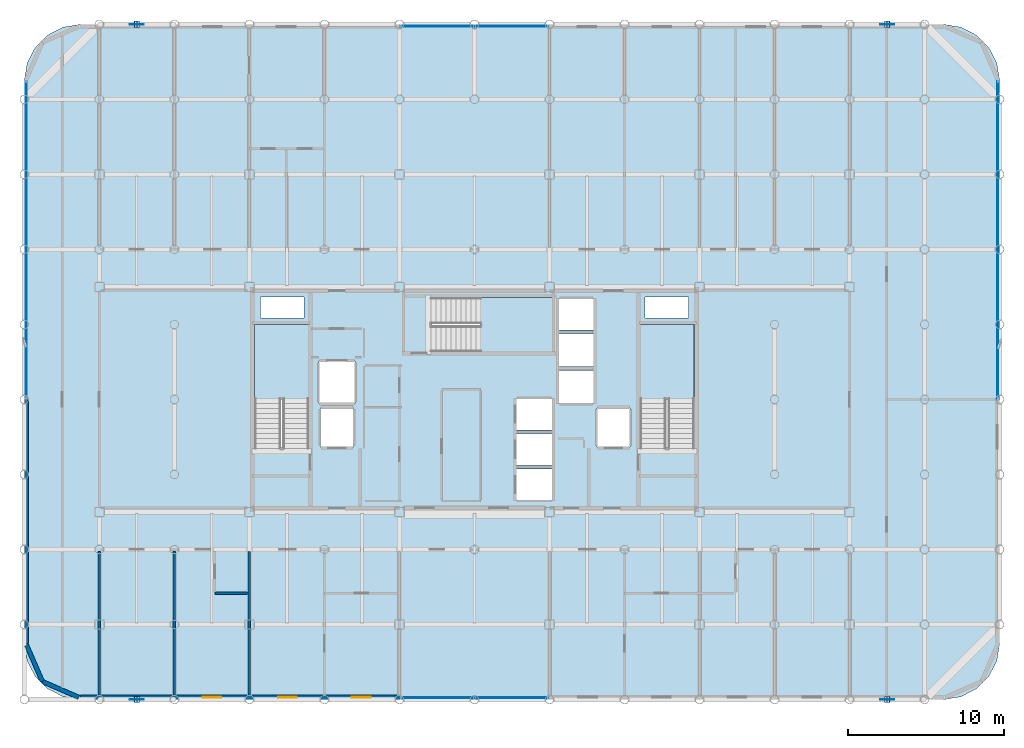
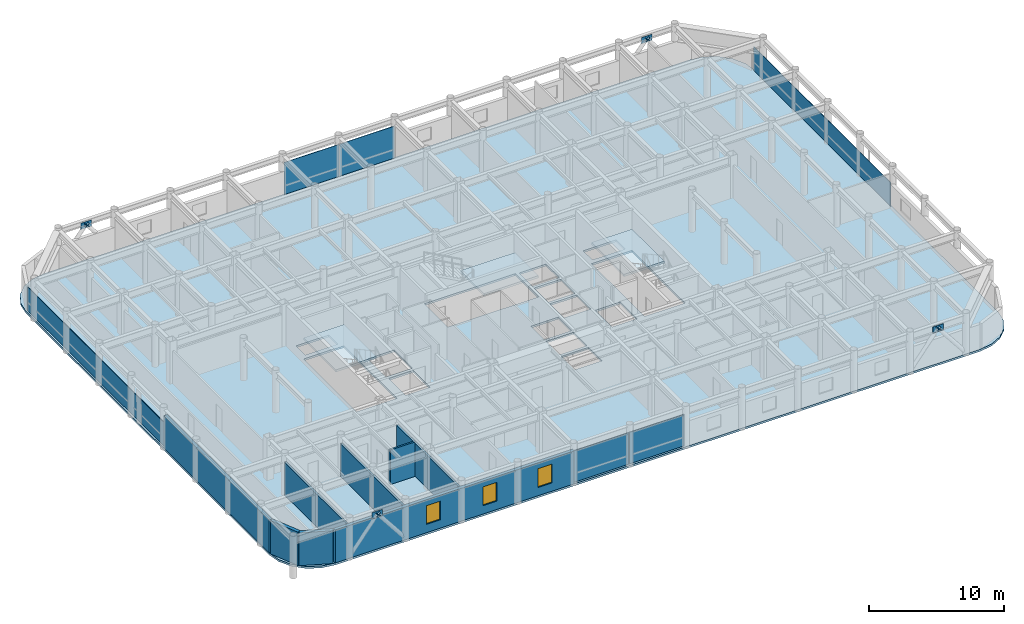
# One storey, part 17 of 22: 18 plates, 8 walls, 4 slabs, 3 windows, 3 openings, 7 elements without a shape of their own.
"""IFC4 building model written with IfcOpenShell, lengths in metres."""

from ifc_helpers import new_model, si_unit, direction, frame, frame_2d, origin, origin_2d, place, context, subcontext, project, spatial, polyline, rectangle, outline, extrude, material, layer, layer_set, type_object, element, fill, aggregate, save


model = new_model("IFC4")

# Units and contexts
model_context = context("Model", 3, precision=1e-05, world=origin(), true_north=direction((0.0, 1.0)))
body_context = subcontext(model_context, "Body", "Model", "MODEL_VIEW")
ifc_project = project(units=[si_unit("LENGTHUNIT", "METRE"), si_unit("AREAUNIT", "SQUARE_METRE"), si_unit("VOLUMEUNIT", "CUBIC_METRE"), si_unit("PLANEANGLEUNIT", "RADIAN"), si_unit("MASSUNIT", "GRAM", prefix="KILO")], contexts=[model_context])

# Site, building, storey
site_placement = place(None, origin())
site = spatial("IfcSite", under=ifc_project, at=site_placement, CompositionType="ELEMENT")
building_placement = place(site_placement, origin())
building = spatial("IfcBuilding", under=site, at=building_placement, Name="Kallvorn Hotel Tower", CompositionType="ELEMENT")
storey_placement = place(building_placement, frame((0.0, 0.0, 241.550048828125)))
storey = spatial("IfcBuildingStorey", under=building, at=storey_placement, Name="L60", CompositionType="ELEMENT", Elevation=241.550048828125)

# Curtain wall, plates
ifc_material_1 = material(Name="Thermally broken black-anodised aluminium AA 6063-T6", Category="aluminium")
ifc_layer_1 = layer(ifc_material_1, 0.22998046875)
ifc_layer_set_1 = layer_set([ifc_layer_1], Name="CW_SYS_5_HOTEL_HIGH")
curtain_wall_type = type_object("IfcCurtainWallType", Name="CW_SYS_5_HOTEL_HIGH", PredefinedType="USERDEFINED", material=ifc_layer_set_1)
curtain_wall_1_placement = place(storey_placement, origin())
curtain_wall_1 = element("IfcCurtainWall", 1, at=curtain_wall_1_placement, inside=storey, type_object=curtain_wall_type, Name="L60 Dark-Glass Curtain Wall CW-L60-SC", ObjectType="UNITISED CURTAIN WALL", PredefinedType="USERDEFINED")
ifc_material_2 = material(Name="Triple-glazed low-e acoustic solar-control dark glass", Category="glass")
ifc_layer_2 = layer(ifc_material_2, 0.04150390625)
ifc_layer_set_2 = layer_set([ifc_layer_2], Name="CW_SYS_5_HOTEL_HIGH_PANEL")
plate_type_1 = type_object("IfcPlateType", Name="CW_SYS_5_HOTEL_HIGH_PANEL", PredefinedType="CURTAIN_PANEL", material=ifc_layer_set_2)
plate_1_placement = place(storey_placement, frame((-2.375, -19.080078125, 0.059814453125), z_axis=(0.0, 0.0, 1.0), x_axis=(1.0, 0.0, 0.0)))
plate_1 = element("IfcPlate", 2, at=plate_1_placement, type_object=plate_type_1, Name="CW-L60-SC Vision Glass Panel 00", PredefinedType="CURTAIN_PANEL", context=body_context, shape_type="SweptSolid", body=[
    extrude(rectangle(XDim=4.68994140625, YDim=0.04150390625, at=origin_2d()), origin(), (0.0, 0.0, 1.0), 2.85009765625),
])
plate_2_placement = place(storey_placement, frame((2.375, -19.080078125, 0.059814453125), z_axis=(0.0, 0.0, 1.0), x_axis=(1.0, 0.0, 0.0)))
plate_2 = element("IfcPlate", 3, at=plate_2_placement, type_object=plate_type_1, Name="CW-L60-SC Vision Glass Panel 01", PredefinedType="CURTAIN_PANEL", context=body_context, shape_type="SweptSolid", body=[
    extrude(rectangle(XDim=4.68994140625, YDim=0.04150390625, at=origin_2d()), origin(), (0.0, 0.0, 1.0), 2.85009765625),
])
aggregate(curtain_wall_1, [plate_1, plate_2])

curtain_wall_2_placement = place(storey_placement, origin())
curtain_wall_2 = element("IfcCurtainWall", 4, at=curtain_wall_2_placement, inside=storey, type_object=curtain_wall_type, Name="L60 Dark-Glass Curtain Wall CW-L60-NC", ObjectType="UNITISED CURTAIN WALL", PredefinedType="USERDEFINED")
plate_3_placement = place(storey_placement, frame((-2.375, 23.8798828125, 0.06005859375), z_axis=(0.0, 0.0, 1.0), x_axis=(1.0, 0.0, 0.0)))
plate_3 = element("IfcPlate", 5, at=plate_3_placement, type_object=plate_type_1, Name="CW-L60-NC Vision Glass Panel 00", PredefinedType="CURTAIN_PANEL", context=body_context, shape_type="SweptSolid", body=[
    extrude(rectangle(XDim=4.68994140625, YDim=0.04150390625, at=origin_2d()), origin(), (0.0, 0.0, 1.0), 2.89990234375),
])
plate_4_placement = place(storey_placement, frame((2.375, 23.8798828125, 0.06005859375), z_axis=(0.0, 0.0, 1.0), x_axis=(1.0, 0.0, 0.0)))
plate_4 = element("IfcPlate", 6, at=plate_4_placement, type_object=plate_type_1, Name="CW-L60-NC Vision Glass Panel 01", PredefinedType="CURTAIN_PANEL", context=body_context, shape_type="SweptSolid", body=[
    extrude(rectangle(XDim=4.68994140625, YDim=0.04150390625, at=origin_2d()), origin(), (0.0, 0.0, 1.0), 2.89990234375),
])
aggregate(curtain_wall_2, [plate_3, plate_4])

# Curtain wall, plate
curtain_wall_3_placement = place(storey_placement, origin())
curtain_wall_3 = element("IfcCurtainWall", 7, at=curtain_wall_3_placement, inside=storey, type_object=curtain_wall_type, Name="L60 Dark-Glass Curtain Wall CW-L60-WN", ObjectType="UNITISED CURTAIN WALL", PredefinedType="USERDEFINED")
plate_5_placement = place(storey_placement, frame((-28.679931640625, 10.2099609375, 0.06005859375), z_axis=(0.0, 0.0, 1.0), x_axis=(0.0, 1.0, 0.0)))
plate_5 = element("IfcPlate", 8, at=plate_5_placement, type_object=plate_type_1, Name="CW-L60-WN Vision Glass Panel 00", PredefinedType="CURTAIN_PANEL", context=body_context, shape_type="SweptSolid", body=[
    extrude(rectangle(XDim=20.320068359375, YDim=0.04150390625, at=origin_2d()), origin(), (0.0, 0.0, 1.0), 2.14990234375),
])
aggregate(curtain_wall_3, [plate_5])

curtain_wall_4_placement = place(storey_placement, origin())
curtain_wall_4 = element("IfcCurtainWall", 9, at=curtain_wall_4_placement, inside=storey, type_object=curtain_wall_type, Name="L60 Dark-Glass Curtain Wall CW-L60-EN", ObjectType="UNITISED CURTAIN WALL", PredefinedType="USERDEFINED")
plate_6_placement = place(storey_placement, frame((33.47998046875, 10.2099609375, 0.06005859375), z_axis=(0.0, 0.0, 1.0), x_axis=(0.0, 1.0, 0.0)))
plate_6 = element("IfcPlate", 10, at=plate_6_placement, type_object=plate_type_1, Name="CW-L60-EN Vision Glass Panel 00", PredefinedType="CURTAIN_PANEL", context=body_context, shape_type="SweptSolid", body=[
    extrude(rectangle(XDim=20.320068359375, YDim=0.04150390625, at=origin_2d()), origin(), (0.0, 0.0, 1.0), 2.14990234375),
])
aggregate(curtain_wall_4, [plate_6])

# Plates
ifc_material_3 = material(Name="Structural steel S355JR", Category="steel")
ifc_layer_3 = layer(ifc_material_3, 0.030029296875)
ifc_layer_set_3 = layer_set([ifc_layer_3], Name="PLT_CAP_30")
plate_type_2 = type_object("IfcPlateType", Name="PLT_CAP_30", PredefinedType="SHEET", material=ifc_layer_set_3)
plate_7_placement = place(storey_placement, frame((-21.435546875, -19.40185546875, 3.09228515625), z_axis=(0.621151664719, 0.0, 0.783690378541), x_axis=(0.0, 1.0, 0.0)))
element("IfcPlate", 11, at=plate_7_placement, inside=storey, type_object=plate_type_2, Name="EXO-L60-S1A End Cap Plate B", PredefinedType="SHEET", context=body_context, shape_type="SweptSolid", body=[
    extrude(outline(polyline([(0.0, 0.0), (0.40380859375, 0.0), (0.40380859375, 0.4040503740962029), (0.0, 0.4040503740962029), (0.0, 0.0)])), origin(), (0.0, 0.0, -1.0), 0.030029296875),
])
plate_8_placement = place(storey_placement, frame((-21.764404296875, -18.998046875, 3.09228515625), z_axis=(-0.621445895256, 0.0, 0.783457081957), x_axis=(0.0, -1.0, 0.0)))
element("IfcPlate", 12, at=plate_8_placement, inside=storey, type_object=plate_type_2, Name="EXO-L60-S1B End Cap Plate B", PredefinedType="SHEET", context=body_context, shape_type="SweptSolid", body=[
    extrude(outline(polyline([(0.0, 0.0), (0.40380859375, 0.0), (0.40380859375, 0.40385907190922293), (0.0, 0.40385907190922293), (0.0, 0.0)])), origin(), (0.0, 0.0, -1.0), 0.030029296875),
])
plate_9_placement = place(storey_placement, frame((26.564453125, -19.40185546875, 3.09228515625), z_axis=(0.621151664719, 0.0, 0.783690378541), x_axis=(0.0, 1.0, 0.0)))
element("IfcPlate", 13, at=plate_9_placement, inside=storey, type_object=plate_type_2, Name="EXO-L60-S2A End Cap Plate B", PredefinedType="SHEET", context=body_context, shape_type="SweptSolid", body=[
    extrude(outline(polyline([(0.0, 0.0), (0.40380859375, 0.0), (0.40380859375, 0.4040503740962029), (0.0, 0.4040503740962029), (0.0, 0.0)])), origin(), (0.0, 0.0, -1.0), 0.030029296875),
])
plate_10_placement = place(storey_placement, frame((26.235595703125, -18.998046875, 3.09228515625), z_axis=(-0.621445895256, 0.0, 0.783457081957), x_axis=(0.0, -1.0, 0.0)))
element("IfcPlate", 14, at=plate_10_placement, inside=storey, type_object=plate_type_2, Name="EXO-L60-S2B End Cap Plate B", PredefinedType="SHEET", context=body_context, shape_type="SweptSolid", body=[
    extrude(outline(polyline([(0.0, 0.0), (0.40380859375, 0.0), (0.40380859375, 0.40385907190922293), (0.0, 0.40385907190922293), (0.0, 0.0)])), origin(), (0.0, 0.0, -1.0), 0.030029296875),
])
plate_11_placement = place(storey_placement, frame((-21.435546875, 23.798095703125, 3.09228515625), z_axis=(0.621151664719, 0.0, 0.783690378541), x_axis=(0.0, 1.0, 0.0)))
element("IfcPlate", 15, at=plate_11_placement, inside=storey, type_object=plate_type_2, Name="EXO-L60-N1A End Cap Plate B", PredefinedType="SHEET", context=body_context, shape_type="SweptSolid", body=[
    extrude(outline(polyline([(0.0, 0.0), (0.40380859375, 0.0), (0.40380859375, 0.4040503740962029), (0.0, 0.4040503740962029), (0.0, 0.0)])), origin(), (0.0, 0.0, -1.0), 0.030029296875),
])
plate_12_placement = place(storey_placement, frame((-21.764404296875, 24.201904296875, 3.09228515625), z_axis=(-0.621445895256, 0.0, 0.783457081957), x_axis=(0.0, -1.0, 0.0)))
element("IfcPlate", 16, at=plate_12_placement, inside=storey, type_object=plate_type_2, Name="EXO-L60-N1B End Cap Plate B", PredefinedType="SHEET", context=body_context, shape_type="SweptSolid", body=[
    extrude(outline(polyline([(0.0, 0.0), (0.40380859375, 0.0), (0.40380859375, 0.40385907190922293), (0.0, 0.40385907190922293), (0.0, 0.0)])), origin(), (0.0, 0.0, -1.0), 0.030029296875),
])
plate_13_placement = place(storey_placement, frame((26.564453125, 23.798095703125, 3.09228515625), z_axis=(0.621151664719, 0.0, 0.783690378541), x_axis=(0.0, 1.0, 0.0)))
element("IfcPlate", 17, at=plate_13_placement, inside=storey, type_object=plate_type_2, Name="EXO-L60-N2A End Cap Plate B", PredefinedType="SHEET", context=body_context, shape_type="SweptSolid", body=[
    extrude(outline(polyline([(0.0, 0.0), (0.40380859375, 0.0), (0.40380859375, 0.4040503740962029), (0.0, 0.4040503740962029), (0.0, 0.0)])), origin(), (0.0, 0.0, -1.0), 0.030029296875),
])
plate_14_placement = place(storey_placement, frame((26.235595703125, 24.201904296875, 3.09228515625), z_axis=(-0.621445895256, 0.0, 0.783457081957), x_axis=(0.0, -1.0, 0.0)))
element("IfcPlate", 18, at=plate_14_placement, inside=storey, type_object=plate_type_2, Name="EXO-L60-N2B End Cap Plate B", PredefinedType="SHEET", context=body_context, shape_type="SweptSolid", body=[
    extrude(outline(polyline([(0.0, 0.0), (0.40380859375, 0.0), (0.40380859375, 0.40385907190922293), (0.0, 0.40385907190922293), (0.0, 0.0)])), origin(), (0.0, 0.0, -1.0), 0.030029296875),
])
ifc_material_4 = material(Name="Structural steel S355JR", Category="steel")
ifc_layer_4 = layer(ifc_material_4, 0.034912109375)
ifc_layer_set_4 = layer_set([ifc_layer_4], Name="PLT_GUSSET_35")
plate_type_3 = type_object("IfcPlateType", Name="PLT_GUSSET_35", PredefinedType="USERDEFINED", material=ifc_layer_set_4)
for number, where, z_axis, x_axis, name in (
    (19, (-21.60009765625, -19.199951171875, 2.889892578125), (0.0, 0.0, 1.0), (1.0, 0.0, 0.0), "L60 Exoskeleton Node Gusset S1"),
    (20, (26.39990234375, -19.199951171875, 2.889892578125), (0.0, 0.0, 1.0), (1.0, 0.0, 0.0), "L60 Exoskeleton Node Gusset S2"),
    (21, (-21.60009765625, 24.0, 2.889892578125), (0.0, 0.0, 1.0), (1.0, 0.0, 0.0), "L60 Exoskeleton Node Gusset N1"),
    (22, (26.39990234375, 24.0, 2.889892578125), (0.0, 0.0, 1.0), (1.0, 0.0, 0.0), "L60 Exoskeleton Node Gusset N2"),
):
    element("IfcPlate", number, at=place(storey_placement, frame(where, z_axis=z_axis, x_axis=x_axis)), inside=storey, type_object=plate_type_3, Name=name, ObjectType="GUSSET PLATE", PredefinedType="USERDEFINED", context=body_context, shape_type="SweptSolid", body=[
        extrude(rectangle(XDim=0.89990234375, YDim=0.034912109375, at=origin_2d()), origin(), (0.0, 0.0, 1.0), 0.56005859375),
    ])

# Stair, slab
ifc_material_5 = material(Name="Precast concrete C40/50", Category="concrete")
stair_type = type_object("IfcStairType", Name="STR_CORE_DOGLEG", PredefinedType="HALF_TURN_STAIR", material=ifc_material_5)
stair_1_placement = place(storey_placement, origin())
stair_1 = element("IfcStair", 23, at=stair_1_placement, inside=storey, type_object=stair_type, Name="L60 Exit stair ST1", PredefinedType="HALF_TURN_STAIR")
ifc_material_6 = material(Name="Precast concrete C40/50", Category="concrete")
ifc_layer_5 = layer(ifc_material_6, 0.179931640625)
ifc_layer_set_5 = layer_set([ifc_layer_5], Name="SLB_LANDING_180")
slab_type_1 = type_object("IfcSlabType", Name="SLB_LANDING_180", PredefinedType="LANDING", material=ifc_layer_set_5)
slab_1_placement = place(storey_placement, frame((0.0, 0.0, 1.724853515625)))
slab_1 = element("IfcSlab", 24, at=slab_1_placement, type_object=slab_type_1, Name="ST1 landing 1", PredefinedType="LANDING", context=body_context, shape_type="SweptSolid", body=[
    extrude(outline(polyline([(-10.60009765625, 0.010009765625), (-10.60009765625, 4.800048828125), (-14.06005859375, 4.800048828125), (-14.06005859375, 0.010009765625), (-10.60009765625, 0.010009765625)])), origin(), (0.0, 0.0, 1.0), 0.2001953125),
])
aggregate(stair_1, [slab_1])

stair_2_placement = place(storey_placement, origin())
stair_2 = element("IfcStair", 25, at=stair_2_placement, inside=storey, type_object=stair_type, Name="L60 Exit stair ST2", PredefinedType="HALF_TURN_STAIR")
slab_2_placement = place(storey_placement, frame((0.0, 0.0, 1.724853515625)))
slab_2 = element("IfcSlab", 26, at=slab_2_placement, type_object=slab_type_1, Name="ST2 landing 1", PredefinedType="LANDING", context=body_context, shape_type="SweptSolid", body=[
    extrude(outline(polyline([(14.06005859375, 0.010009765625), (14.06005859375, 4.800048828125), (10.60009765625, 4.800048828125), (10.60009765625, 0.010009765625), (14.06005859375, 0.010009765625)])), origin(), (0.0, 0.0, 1.0), 0.2001953125),
])
aggregate(stair_2, [slab_2])

stair_3_placement = place(storey_placement, origin())
stair_3 = element("IfcStair", 27, at=stair_3_placement, inside=storey, type_object=stair_type, Name="L60 Exit stair ST3", PredefinedType="HALF_TURN_STAIR")
slab_3_placement = place(storey_placement, frame((0.0, 0.0, 1.724853515625)))
slab_3 = element("IfcSlab", 28, at=slab_3_placement, type_object=slab_type_1, Name="ST3 landing 1", PredefinedType="LANDING", context=body_context, shape_type="SweptSolid", body=[
    extrude(outline(polyline([(0.360107421875, 3.050048828125), (5.050048828125, 3.050048828125), (5.050048828125, 6.510009765625), (0.360107421875, 6.510009765625), (0.360107421875, 3.050048828125)])), origin(), (0.0, 0.0, 1.0), 0.2001953125),
])
aggregate(stair_3, [slab_3])

# Slab
ifc_material_7 = material(Name="Concrete C40/50", Category="concrete")
ifc_layer_6 = layer(ifc_material_7, 0.179931640625)
ifc_layer_set_6 = layer_set([ifc_layer_6], Name="SLB_TOWER_180")
slab_type_2 = type_object("IfcSlabType", Name="SLB_TOWER_180", PredefinedType="FLOOR", material=ifc_layer_set_6)
slab_4_placement = place(storey_placement, frame((0.0, 0.0, -0.179931640625)))
element("IfcSlab", 29, at=slab_4_placement, inside=storey, type_object=slab_type_2, Name="L60 Structural Floor Slab", PredefinedType="FLOOR", context=body_context, shape_type="SweptSolid", body=[
    extrude(outline(polyline([(30.0, -19.199951171875), (31.112548828125, -19.023681640625), (32.115966796875, -18.512451171875), (32.91259765625, -17.716064453125), (33.423828125, -16.71240234375), (33.60009765625, -15.60009765625), (33.60009765625, 20.39990234375), (33.423828125, 21.512451171875), (32.91259765625, 22.51611328125), (32.115966796875, 23.3125), (31.112548828125, 23.82373046875), (30.0, 24.0), (-25.199951171875, 24.0), (-26.3125, 23.82373046875), (-27.31591796875, 23.3125), (-28.112548828125, 22.51611328125), (-28.623779296875, 21.512451171875), (-28.800048828125, 20.39990234375), (-28.800048828125, -15.60009765625), (-28.623779296875, -16.71240234375), (-28.112548828125, -17.716064453125), (-27.31591796875, -18.512451171875), (-26.3125, -19.023681640625), (-25.199951171875, -19.199951171875), (30.0, -19.199951171875)]), holes=[polyline([(-10.60009765625, -3.070068359375), (-10.60009765625, 4.800048828125), (-14.06005859375, 4.800048828125), (-14.06005859375, -3.070068359375), (-10.60009765625, -3.070068359375)]), polyline([(14.06005859375, -3.070068359375), (14.06005859375, 4.800048828125), (10.60009765625, 4.800048828125), (10.60009765625, -3.070068359375), (14.06005859375, -3.070068359375)]), polyline([(-2.719970703125, 3.050048828125), (5.050048828125, 3.050048828125), (5.050048828125, 6.510009765625), (-2.719970703125, 6.510009765625), (-2.719970703125, 3.050048828125)]), polyline([(2.64990234375, -6.449951171875), (5.0, -6.449951171875), (5.0, -4.449951171875), (2.64990234375, -4.449951171875), (2.64990234375, -6.449951171875)]), polyline([(2.64990234375, -4.199951171875), (5.0, -4.199951171875), (5.0, -2.199951171875), (2.64990234375, -2.199951171875), (2.64990234375, -4.199951171875)]), polyline([(2.64990234375, -1.949951171875), (5.0, -1.949951171875), (5.0, 0.050048828125), (2.64990234375, 0.050048828125), (2.64990234375, -1.949951171875)]), polyline([(5.35009765625, -0.25), (7.64990234375, -0.25), (7.64990234375, 1.85009765625), (5.35009765625, 1.85009765625), (5.35009765625, -0.25)]), polyline([(5.35009765625, 2.10009765625), (7.64990234375, 2.10009765625), (7.64990234375, 4.199951171875), (5.35009765625, 4.199951171875), (5.35009765625, 2.10009765625)]), polyline([(5.35009765625, 4.449951171875), (7.64990234375, 4.449951171875), (7.64990234375, 6.449951171875), (5.35009765625, 6.449951171875), (5.35009765625, 4.449951171875)]), polyline([(-9.85009765625, -3.050048828125), (-7.75, -3.050048828125), (-7.75, -0.550048828125), (-9.85009765625, -0.550048828125), (-9.85009765625, -3.050048828125)]), polyline([(7.85009765625, -3.050048828125), (9.949951171875, -3.050048828125), (9.949951171875, -0.550048828125), (7.85009765625, -0.550048828125), (7.85009765625, -3.050048828125)]), polyline([(-9.949951171875, -0.25), (-7.64990234375, -0.25), (-7.64990234375, 2.449951171875), (-9.949951171875, 2.449951171875), (-9.949951171875, -0.25)]), polyline([(-13.699951171875, 5.199951171875), (-10.89990234375, 5.199951171875), (-10.89990234375, 6.550048828125), (-13.699951171875, 6.550048828125), (-13.699951171875, 5.199951171875)]), polyline([(10.89990234375, 5.199951171875), (13.699951171875, 5.199951171875), (13.699951171875, 6.550048828125), (10.89990234375, 6.550048828125), (10.89990234375, 5.199951171875)])]), origin(), (0.0, 0.0, 1.0), 0.179931640625),
])

# Walls
ifc_material_8 = material(Name="Fire-rated double-layer acoustic gypsum drywall EI 60")
ifc_layer_7 = layer(ifc_material_8, 0.159912109375)
ifc_layer_set_7 = layer_set([ifc_layer_7], Name="WL_DEMISE_160")
wall_type_1 = type_object("IfcWallType", Name="WL_DEMISE_160", PredefinedType="PARTITIONING", material=ifc_layer_set_7)
wall_1_placement = place(storey_placement, frame((-16.610107421875, -12.39501953125, 0.0), z_axis=(0.0, 0.0, 1.0), x_axis=(1.0, 0.0, 0.0)))
element("IfcWall", 30, at=wall_1_placement, inside=storey, type_object=wall_type_1, Name="L60 Suite 6001 Superior Twin Room Partition", PredefinedType="PARTITIONING", context=body_context, shape_type="SweptSolid", body=[
    extrude(rectangle(XDim=2.130126953125, YDim=0.159912109375, at=frame_2d((1.06494140625, 0.0))), origin(), (0.0, 0.0, 1.0), 3.119873046875),
])
for number, where, z_axis, x_axis, name in (
    (31, (-19.199951171875, -18.909912109375, 0.0), (0.0, 0.0, 1.0), (0.0, 1.0, 0.0), "L60 Suite 6001 Superior Twin Room Partition"),
    (32, (-14.39990234375, -18.909912109375, 0.0), (0.0, 0.0, 1.0), (0.0, 1.0, 0.0), "L60 Suite 6001 Superior Twin Room Partition"),
):
    element("IfcWall", number, at=place(storey_placement, frame(where, z_axis=z_axis, x_axis=x_axis)), inside=storey, type_object=wall_type_1, Name=name, PredefinedType="PARTITIONING", context=body_context, shape_type="SweptSolid", body=[
        extrude(rectangle(XDim=9.18994140625, YDim=0.159912109375, at=frame_2d((4.594970703125, 0.0))), origin(), (0.0, 0.0, 1.0), 2.969970703125),
    ])
ifc_material_9 = material(Name="Precast basalt-clad insulated concrete wall C40/50", Category="masonry")
ifc_layer_8 = layer(ifc_material_9, 0.280029296875)
ifc_layer_set_8 = layer_set([ifc_layer_8], Name="WL_EXT_LOGGIA_280")
wall_type_2 = type_object("IfcWallType", Name="WL_EXT_LOGGIA_280", PredefinedType="SOLIDWALL", material=ifc_layer_set_8)
wall_2_placement = place(storey_placement, frame((-28.657958984375, -15.720703125, 0.0), z_axis=(0.0, 0.0, 1.0), x_axis=(0.398792985289, -0.917040977756, 0.0)))
element("IfcWall", 33, at=wall_2_placement, inside=storey, type_object=wall_type_2, Name="L60 Rounded Corner Exterior Wall SW1", PredefinedType="SOLIDWALL", context=body_context, shape_type="SweptSolid", body=[
    extrude(rectangle(XDim=2.536376953125, YDim=0.280029296875, at=frame_2d((1.26806640625, 0.0))), origin(), (0.0, 0.0, 1.0), 3.02001953125),
])
wall_3_placement = place(storey_placement, frame((-27.646484375, -18.046630859375, 0.0), z_axis=(0.0, 0.0, 1.0), x_axis=(0.917060872934, -0.398747232384, 0.0)))
element("IfcWall", 34, at=wall_3_placement, inside=storey, type_object=wall_type_2, Name="L60 Rounded Corner Exterior Wall SW2", PredefinedType="SOLIDWALL", context=body_context, shape_type="SweptSolid", body=[
    extrude(rectangle(XDim=2.5361328125, YDim=0.280029296875, at=frame_2d((1.26806640625, 0.0))), origin(), (0.0, 0.0, 1.0), 2.969970703125),
])

# Wall, openings, windows
wall_4_placement = place(storey_placement, frame((-25.199951171875, -19.06005859375, 0.0), z_axis=(0.0, 0.0, 1.0), x_axis=(1.0, 0.0, 0.0)))
wall_4 = element("IfcWall", 35, at=wall_4_placement, inside=storey, type_object=wall_type_2, Name="L60 Exterior Envelope Wall EW-L60-SW", PredefinedType="SOLIDWALL", context=body_context, shape_type="SweptSolid", body=[
    extrude(rectangle(XDim=20.449951171875, YDim=0.280029296875, at=frame_2d((10.22509765625, 0.0))), origin(), (0.0, 0.0, 1.0), 2.969970703125),
])
opening_1_placement = place(wall_4_placement, frame((7.800048828125, 0.0, 0.75)))
opening_1 = element("IfcOpeningElement", 36, at=opening_1_placement, cuts=wall_4, Name="Opening W06", PredefinedType="OPENING", context=body_context, shape_type="SweptSolid", body=[
    extrude(rectangle(XDim=1.199951171875, YDim=1.699951171875, at=frame_2d((0.60009765625, 0.85009765625))), frame((0.0, 0.155029296875, 0.0), z_axis=(0.0, -1.0, 0.0), x_axis=(1.0, 0.0, 0.0)), (0.0, 0.0, 1.0), 0.31005859375),
])
opening_2_placement = place(wall_4_placement, frame((12.639892578125, 0.0, 0.75)))
opening_2 = element("IfcOpeningElement", 37, at=opening_2_placement, cuts=wall_4, Name="Opening W06", PredefinedType="OPENING", context=body_context, shape_type="SweptSolid", body=[
    extrude(rectangle(XDim=1.199951171875, YDim=1.699951171875, at=frame_2d((0.60009765625, 0.85009765625))), frame((0.0, 0.155029296875, 0.0), z_axis=(0.0, -1.0, 0.0), x_axis=(1.0, 0.0, 0.0)), (0.0, 0.0, 1.0), 0.31005859375),
])
opening_3_placement = place(wall_4_placement, frame((17.360107421875, 0.0, 0.75)))
opening_3 = element("IfcOpeningElement", 38, at=opening_3_placement, cuts=wall_4, Name="Opening W06", PredefinedType="OPENING", context=body_context, shape_type="SweptSolid", body=[
    extrude(rectangle(XDim=1.199951171875, YDim=1.699951171875, at=frame_2d((0.60009765625, 0.85009765625))), frame((0.0, 0.155029296875, 0.0), z_axis=(0.0, -1.0, 0.0), x_axis=(1.0, 0.0, 0.0)), (0.0, 0.0, 1.0), 0.31005859375),
])
ifc_material_10 = material(Name="Triple-glazed low-e acoustic solar-control dark glass", Category="glass")
window_type = type_object("IfcWindowType", Name="WN_HTL_1200x1700", PartitioningType="SINGLE_PANEL", PredefinedType="WINDOW", material=ifc_material_10)
window_1_placement = place(opening_1_placement, origin())
window_1 = element("IfcWindow", 39, at=window_1_placement, inside=storey, type_object=window_type, Name="L60 Guestroom Exterior Window 04", OverallHeight=1.699951171875, OverallWidth=1.199951171875, PartitioningType="SINGLE_PANEL", PredefinedType="WINDOW", context=body_context, shape_type="SweptSolid", body=[
    extrude(rectangle(XDim=1.199951171875, YDim=1.699951171875, at=frame_2d((0.60009765625, 0.85009765625))), frame((0.0, 0.030029296875, 0.0), z_axis=(0.0, -1.0, 0.0), x_axis=(1.0, 0.0, 0.0)), (0.0, 0.0, 1.0), 0.06005859375),
])
fill(opening_1, window_1)
window_2_placement = place(opening_2_placement, origin())
window_2 = element("IfcWindow", 40, at=window_2_placement, inside=storey, type_object=window_type, Name="L60 Guestroom Exterior Window 05", OverallHeight=1.699951171875, OverallWidth=1.199951171875, PartitioningType="SINGLE_PANEL", PredefinedType="WINDOW", context=body_context, shape_type="SweptSolid", body=[
    extrude(rectangle(XDim=1.199951171875, YDim=1.699951171875, at=frame_2d((0.60009765625, 0.85009765625))), frame((0.0, 0.030029296875, 0.0), z_axis=(0.0, -1.0, 0.0), x_axis=(1.0, 0.0, 0.0)), (0.0, 0.0, 1.0), 0.06005859375),
])
fill(opening_2, window_2)
window_3_placement = place(opening_3_placement, origin())
window_3 = element("IfcWindow", 41, at=window_3_placement, inside=storey, type_object=window_type, Name="L60 Guestroom Exterior Window 06", OverallHeight=1.699951171875, OverallWidth=1.199951171875, PartitioningType="SINGLE_PANEL", PredefinedType="WINDOW", context=body_context, shape_type="SweptSolid", body=[
    extrude(rectangle(XDim=1.199951171875, YDim=1.699951171875, at=frame_2d((0.60009765625, 0.85009765625))), frame((0.0, 0.030029296875, 0.0), z_axis=(0.0, -1.0, 0.0), x_axis=(1.0, 0.0, 0.0)), (0.0, 0.0, 1.0), 0.06005859375),
])
fill(opening_3, window_3)

# Walls
wall_5_placement = place(storey_placement, frame((-28.659912109375, -15.60009765625, 0.0), z_axis=(0.0, 0.0, 1.0), x_axis=(0.0, 1.0, 0.0)))
element("IfcWall", 42, at=wall_5_placement, inside=storey, type_object=wall_type_2, Name="L60 Exterior Envelope Wall EW-L60-WS", PredefinedType="SOLIDWALL", context=body_context, shape_type="SweptSolid", body=[
    extrude(rectangle(XDim=15.580078125, YDim=0.280029296875, at=frame_2d((7.7900390625, 0.0))), origin(), (0.0, 0.0, 1.0), 2.969970703125),
])
ifc_material_11 = material(Name="Fire-rated double-layer acoustic gypsum drywall EI 60")
ifc_layer_9 = layer(ifc_material_11, 0.14990234375)
ifc_layer_set_9 = layer_set([ifc_layer_9], Name="WL_PART_150")
wall_type_3 = type_object("IfcWallType", Name="WL_PART_150", PredefinedType="PARTITIONING", material=ifc_layer_set_9)
wall_6_placement = place(storey_placement, frame((-24.0, -18.909912109375, 0.0), z_axis=(0.0, 0.0, 1.0), x_axis=(0.0, 1.0, 0.0)))
element("IfcWall", 43, at=wall_6_placement, inside=storey, type_object=wall_type_3, Name="L60 L60 High-Zone South-West Tea Bar Partition", PredefinedType="PARTITIONING", context=body_context, shape_type="SweptSolid", body=[
    extrude(rectangle(XDim=9.18994140625, YDim=0.14990234375, at=frame_2d((4.594970703125, 0.0))), origin(), (0.0, 0.0, 1.0), 2.969970703125),
])

save(model, "model.ifc")
